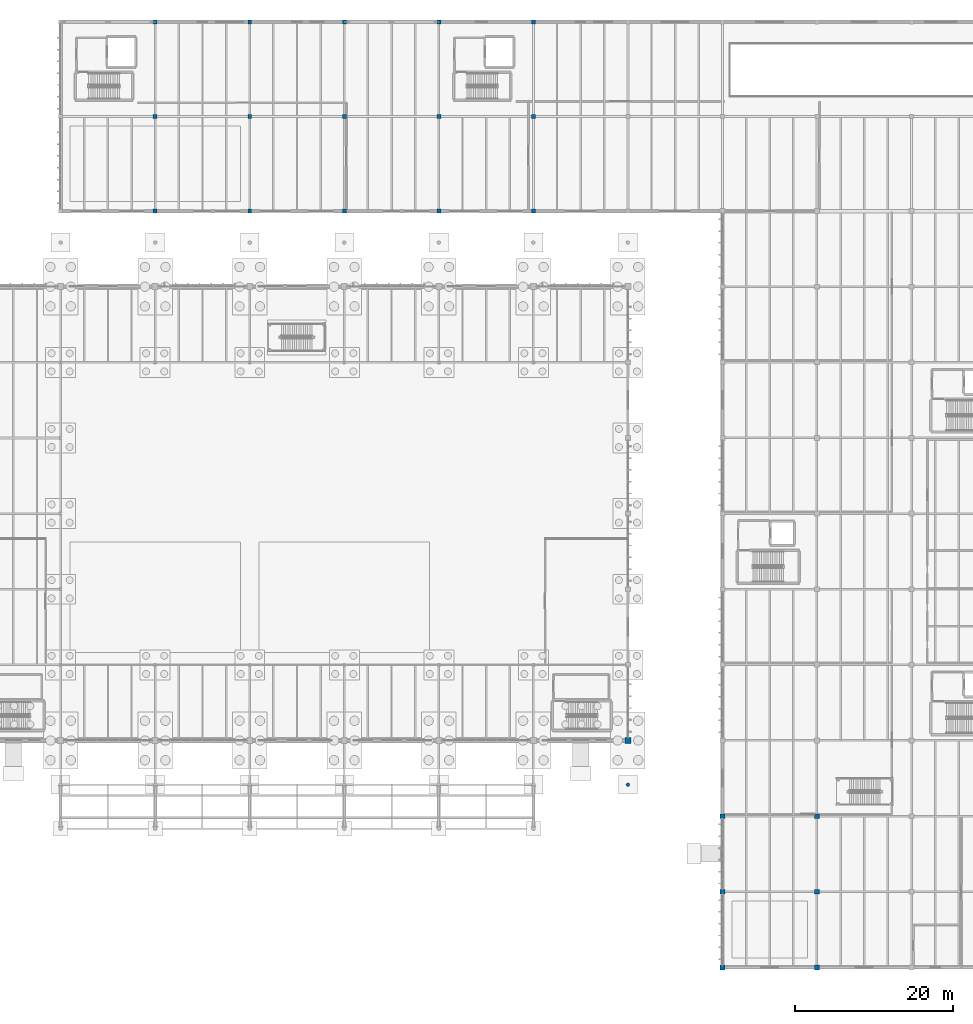
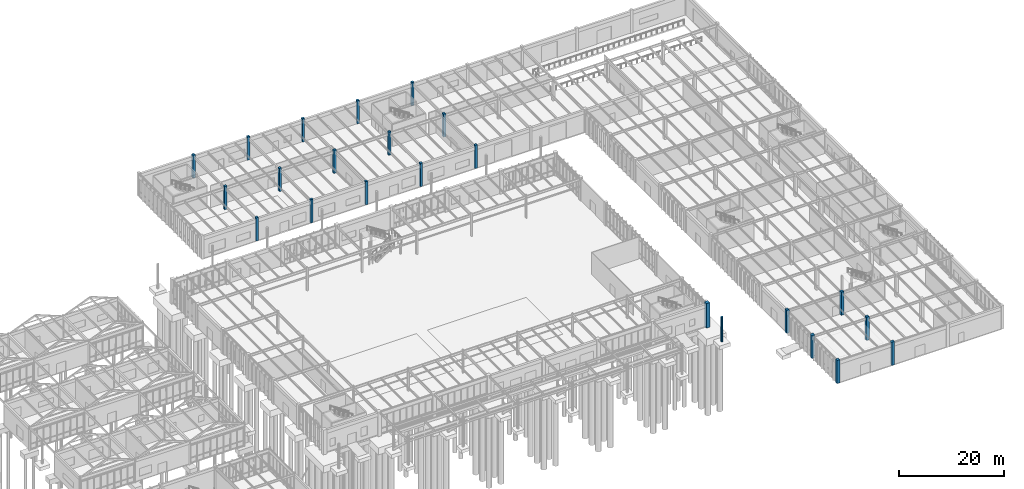
# One storey, part 16 of 188: 23 columns.
"""IFC4 building model written with IfcOpenShell, lengths in metres."""

from ifc_helpers import new_model, si_unit, direction, frame, origin, origin_2d, place, context, subcontext, project, spatial, rectangle, circle, extrude, material, material_profile, profile_set, type_object, element, save


model = new_model("IFC4")

# Units and contexts
model_context = context("Model", 3, precision=1e-05, world=origin(), true_north=direction((0.0, 1.0)))
body_context = subcontext(model_context, "Body", "Model", "MODEL_VIEW")
ifc_project = project(units=[si_unit("LENGTHUNIT", "METRE"), si_unit("AREAUNIT", "SQUARE_METRE"), si_unit("VOLUMEUNIT", "CUBIC_METRE"), si_unit("PLANEANGLEUNIT", "RADIAN"), si_unit("MASSUNIT", "GRAM", prefix="KILO")], contexts=[model_context])

# Site, building, storey
site_placement = place(None, origin())
site = spatial("IfcSite", under=ifc_project, at=site_placement, CompositionType="ELEMENT")
building_placement = place(site_placement, origin())
building = spatial("IfcBuilding", under=site, at=building_placement, Name="Pandanus Reach Market Hall", CompositionType="ELEMENT")
storey_placement = place(building_placement, origin())
storey = spatial("IfcBuildingStorey", under=building, at=storey_placement, Name="L00", CompositionType="ELEMENT", Elevation=0.0)

# Columns
ifc_material_1 = material(Name="Concrete N40 (40 MPa)", Category="concrete")
ifc_material_profile_1 = material_profile(ifc_material_1, rectangle(XDim=0.5, YDim=0.5, at=origin_2d()), Name="RC500x500", Category="LoadBearing")
ifc_profile_set_1 = profile_set([ifc_material_profile_1], Name="Concrete N40 (40 MPa)")
column_type_1 = type_object("IfcColumnType", Name="CL-RC500-E", PredefinedType="COLUMN", material=ifc_profile_set_1)
for number, where, z_axis, x_axis, name in (
    (1, (72.0, 96.0, 0.0), (0.0, 0.0, 1.0), (1.0, 0.0, 0.0), "Column CL-RC500-E V5-72-960 L00"),
    (2, (72.0, 120.0, 0.0), (0.0, 0.0, 1.0), (1.0, 0.0, 0.0), "Column CL-RC500-E V5-72-1200 L00"),
    (3, (84.0, 96.0, 0.0), (0.0, 0.0, 1.0), (1.0, 0.0, 0.0), "Column CL-RC500-E V5-84-960 L00"),
    (4, (84.0, 120.0, 0.0), (0.0, 0.0, 1.0), (1.0, 0.0, 0.0), "Column CL-RC500-E V5-84-1200 L00"),
    (5, (96.0, 96.0, 0.0), (0.0, 0.0, 1.0), (1.0, 0.0, 0.0), "Column CL-RC500-E V5-96-960 L00"),
    (6, (96.0, 120.0, 0.0), (0.0, 0.0, 1.0), (1.0, 0.0, 0.0), "Column CL-RC500-E V5-96-1200 L00"),
    (7, (108.0, 96.0, 0.0), (0.0, 0.0, 1.0), (1.0, 0.0, 0.0), "Column CL-RC500-E V5-108-960 L00"),
    (8, (108.0, 120.0, 0.0), (0.0, 0.0, 1.0), (1.0, 0.0, 0.0), "Column CL-RC500-E V5-108-1200 L00"),
    (9, (120.0, 96.0, 0.0), (0.0, 0.0, 1.0), (1.0, 0.0, 0.0), "Column CL-RC500-E V5-120-960 L00"),
    (10, (120.0, 120.0, 0.0), (0.0, 0.0, 1.0), (1.0, 0.0, 0.0), "Column CL-RC500-E V5-120-1200 L00"),
):
    element("IfcColumn", number, at=place(storey_placement, frame(where, z_axis=z_axis, x_axis=x_axis)), inside=storey, type_object=column_type_1, Name=name, PredefinedType="COLUMN", context=body_context, shape_type="SweptSolid", body=[
        extrude(rectangle(XDim=0.5, YDim=0.5, at=origin_2d()), origin(), (0.0, 0.0, 1.0), 5.39990234375),
    ])
ifc_material_profile_2 = material_profile(ifc_material_1, rectangle(XDim=0.5, YDim=0.5, at=origin_2d()), Name="RC500x500", Category="LoadBearing")
ifc_profile_set_2 = profile_set([ifc_material_profile_2], Name="Concrete N40 (40 MPa)")
column_type_2 = type_object("IfcColumnType", Name="CL-RC500-I", PredefinedType="COLUMN", material=ifc_profile_set_2)
for number, where, z_axis, x_axis, name in (
    (11, (72.0, 108.0, 0.0), (0.0, 0.0, 1.0), (1.0, 0.0, 0.0), "Column CL-RC500-I V5-72-1080 L00"),
    (12, (84.0, 108.0, 0.0), (0.0, 0.0, 1.0), (1.0, 0.0, 0.0), "Column CL-RC500-I V5-84-1080 L00"),
    (13, (96.0, 108.0, 0.0), (0.0, 0.0, 1.0), (1.0, 0.0, 0.0), "Column CL-RC500-I V5-96-1080 L00"),
    (14, (108.0, 108.0, 0.0), (0.0, 0.0, 1.0), (1.0, 0.0, 0.0), "Column CL-RC500-I V5-108-1080 L00"),
    (15, (120.0, 108.0, 0.0), (0.0, 0.0, 1.0), (1.0, 0.0, 0.0), "Column CL-RC500-I V5-120-1080 L00"),
):
    element("IfcColumn", number, at=place(storey_placement, frame(where, z_axis=z_axis, x_axis=x_axis)), inside=storey, type_object=column_type_2, Name=name, PredefinedType="COLUMN", context=body_context, shape_type="SweptSolid", body=[
        extrude(rectangle(XDim=0.5, YDim=0.5, at=origin_2d()), origin(), (0.0, 0.0, 1.0), 5.39990234375),
    ])
ifc_material_profile_3 = material_profile(ifc_material_1, rectangle(XDim=0.60009765625, YDim=0.60009765625, at=origin_2d()), Name="RC600x600", Category="LoadBearing")
ifc_profile_set_3 = profile_set([ifc_material_profile_3], Name="Concrete N40 (40 MPa)")
column_type_3 = type_object("IfcColumnType", Name="CL-RC600-E", PredefinedType="COLUMN", material=ifc_profile_set_3)
for number, where, z_axis, x_axis, name in (
    (16, (144.0, 0.0, 0.0), (0.0, 0.0, 1.0), (1.0, 0.0, 0.0), "Column CL-RC600-E V4-144-0 L00"),
    (17, (144.0, 9.60009765625, 0.0), (0.0, 0.0, 1.0), (1.0, 0.0, 0.0), "Column CL-RC600-E V4-144-96 L00"),
    (18, (144.0, 19.199951171875, 0.0), (0.0, 0.0, 1.0), (1.0, 0.0, 0.0), "Column CL-RC600-E V4-144-192 L00"),
    (19, (156.0, 0.0, 0.0), (0.0, 0.0, 1.0), (1.0, 0.0, 0.0), "Column CL-RC600-E V4-156-0 L00"),
):
    element("IfcColumn", number, at=place(storey_placement, frame(where, z_axis=z_axis, x_axis=x_axis)), inside=storey, type_object=column_type_3, Name=name, PredefinedType="COLUMN", context=body_context, shape_type="SweptSolid", body=[
        extrude(rectangle(XDim=0.60009765625, YDim=0.60009765625, at=origin_2d()), origin(), (0.0, 0.0, 1.0), 5.39990234375),
    ])
ifc_material_profile_4 = material_profile(ifc_material_1, rectangle(XDim=0.60009765625, YDim=0.60009765625, at=origin_2d()), Name="RC600x600", Category="LoadBearing")
ifc_profile_set_4 = profile_set([ifc_material_profile_4], Name="Concrete N40 (40 MPa)")
column_type_4 = type_object("IfcColumnType", Name="CL-RC600-I", PredefinedType="COLUMN", material=ifc_profile_set_4)
for number, where, z_axis, x_axis, name in (
    (20, (156.0, 9.60009765625, 0.0), (0.0, 0.0, 1.0), (1.0, 0.0, 0.0), "Column CL-RC600-I V4-156-96 L00"),
    (21, (156.0, 19.199951171875, 0.0), (0.0, 0.0, 1.0), (1.0, 0.0, 0.0), "Column CL-RC600-I V4-156-192 L00"),
):
    element("IfcColumn", number, at=place(storey_placement, frame(where, z_axis=z_axis, x_axis=x_axis)), inside=storey, type_object=column_type_4, Name=name, PredefinedType="COLUMN", context=body_context, shape_type="SweptSolid", body=[
        extrude(rectangle(XDim=0.60009765625, YDim=0.60009765625, at=origin_2d()), origin(), (0.0, 0.0, 1.0), 5.39990234375),
    ])
ifc_material_2 = material(Name="Concrete N50 (50 MPa)", Category="concrete")
ifc_material_profile_5 = material_profile(ifc_material_2, rectangle(XDim=0.75, YDim=0.75, at=origin_2d()), Name="RC750x750", Category="LoadBearing")
ifc_profile_set_5 = profile_set([ifc_material_profile_5], Name="Concrete N50 (50 MPa)")
column_type_5 = type_object("IfcColumnType", Name="CL-RC750-E", PredefinedType="COLUMN", material=ifc_profile_set_5)
column_1_placement = place(storey_placement, frame((132.0, 28.800048828125, -0.300048828125), z_axis=(0.0, 0.0, 1.0), x_axis=(1.0, 0.0, 0.0)))
element("IfcColumn", 22, at=column_1_placement, inside=storey, type_object=column_type_5, Name="Column CL-RC750-E V1A-132-288 L00", PredefinedType="COLUMN", context=body_context, shape_type="SweptSolid", body=[
    extrude(rectangle(XDim=0.75, YDim=0.75, at=origin_2d()), origin(), (0.0, 0.0, 1.0), 5.699951171875),
])
ifc_material_3 = material(Name="Precast concrete S50 (50 MPa)", Category="concrete")
ifc_material_profile_6 = material_profile(ifc_material_3, circle(Radius=0.22509765625, at=origin_2d()), Name="RC450D", Category="LoadBearing")
ifc_profile_set_6 = profile_set([ifc_material_profile_6], Name="Precast concrete S50 (50 MPa)")
column_type_6 = type_object("IfcColumnType", Name="PL-RC450-E", PredefinedType="PILASTER", material=ifc_profile_set_6)
column_2_placement = place(storey_placement, frame((132.0, 23.199951171875, -0.300048828125), z_axis=(0.0, 0.0, 1.0), x_axis=(1.0, 0.0, 0.0)))
element("IfcColumn", 23, at=column_2_placement, inside=storey, type_object=column_type_6, Name="Arcade pilaster P8", PredefinedType="PILASTER", context=body_context, shape_type="SweptSolid", body=[
    extrude(circle(Radius=0.22509765625, at=origin_2d()), origin(), (0.0, 0.0, 1.0), 5.699951171875),
])

save(model, "model.ifc")
